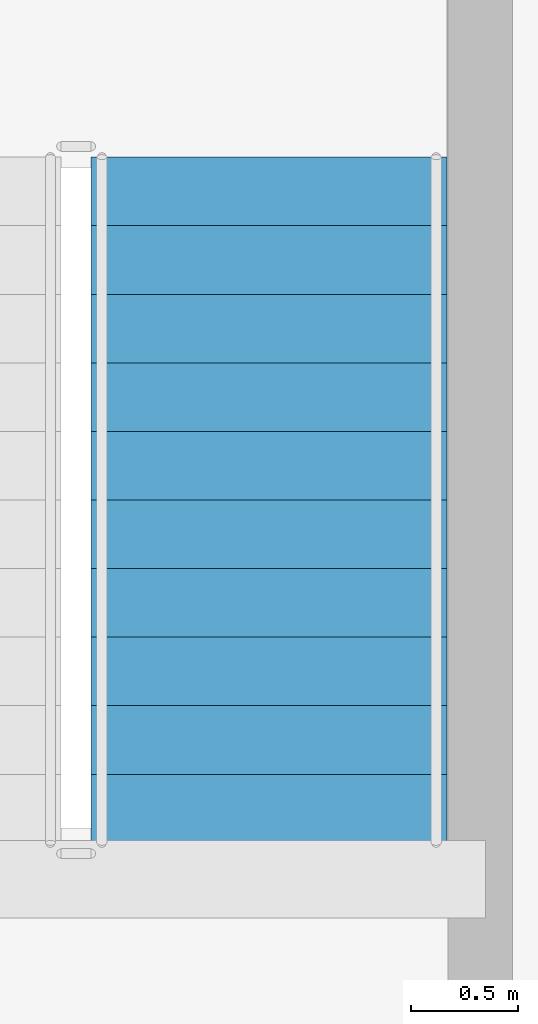
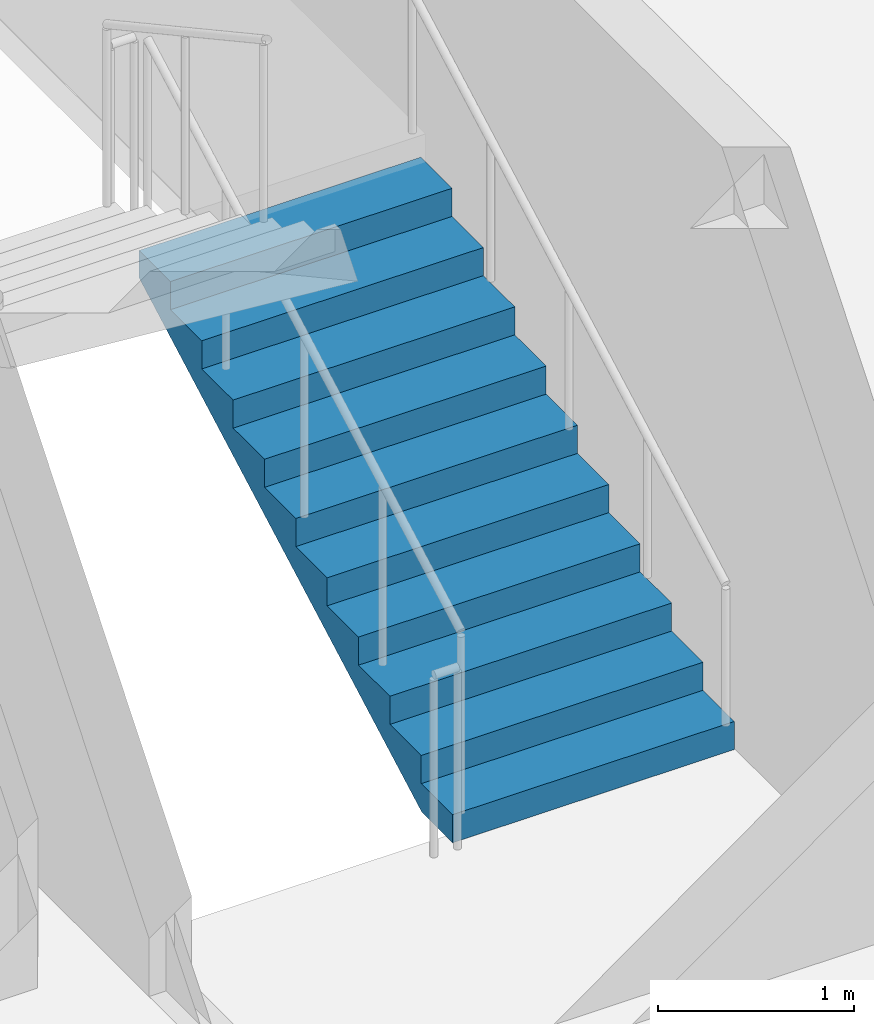
# One storey, part 21 of 22: 1 stair flight, 1 element without a shape of its own.
"""IFC4 building model written with IfcOpenShell, lengths in metres."""

import ifcopenshell
import ifcopenshell.guid

model = None  # the IFC model being written
_history = None  # IfcOwnerHistory: only IFC2X3 demands one
_inside = {}  # id of a spatial element -> (the spatial element, [elements in it])
_under = {}  # id of a project, library or spatial element -> (it, [spatial elements below it])
_declared = {}  # id of a project -> (the project, [libraries it declares])
_typed = {}  # id of a type object -> (the type object, [elements of that type])
_made_of = {}  # id of a material, layer set ... -> (it, [elements and type objects made of it])


def new_model(schema):
    """Start an empty IFC model of exactly this schema.

    Asked for "IFC4X3", IfcOpenShell would pick the latest addendum, in which some entities
    have other attributes; the version numbers below select the first issue.
    IFC2X3 requires an IfcOwnerHistory on every rooted entity: one is made here for all.
    """
    global model, _history
    if schema == "IFC4X3":
        model = ifcopenshell.file(schema_version=(4, 3, 0, 0))
    else:
        model = ifcopenshell.file(schema=schema)
    _inside.clear()
    _under.clear()
    _declared.clear()
    _typed.clear()
    _made_of.clear()
    _history = None
    if model.schema == "IFC2X3":
        org = make("IfcOrganization", Name="unknown")
        user = make(
            "IfcPersonAndOrganization",
            ThePerson=make("IfcPerson", FamilyName="unknown"),
            TheOrganization=org,
        )
        app = make(
            "IfcApplication",
            ApplicationDeveloper=org,
            Version="unknown",
            ApplicationFullName="unknown",
            ApplicationIdentifier="unknown",
        )
        _history = make(
            "IfcOwnerHistory",
            OwningUser=user,
            OwningApplication=app,
            ChangeAction="ADDED",
            CreationDate=0,
        )
    return model


def make(cls, **values):
    """One entity of the class cls with the attributes given. An attribute that is None is left unset."""
    return model.create_entity(
        cls, **{name: value for name, value in values.items() if value is not None}
    )


def rooted(cls, **values):
    """An entity with a GlobalId (a new one), such as an element, a storey or a relation."""
    return make(cls, GlobalId=ifcopenshell.guid.new(), OwnerHistory=_history, **values)


def si_unit(unit_type, name, prefix=None):
    """IfcSIUnit, for example si_unit("LENGTHUNIT", "METRE", prefix="MILLI")."""
    return make("IfcSIUnit", UnitType=unit_type, Prefix=prefix, Name=name)


def assignment(units):
    """IfcUnitAssignment: the units of a project."""
    return None if units is None else make("IfcUnitAssignment", Units=units)


def point(xyz):
    """IfcCartesianPoint."""
    return None if xyz is None else make("IfcCartesianPoint", Coordinates=xyz)


def direction(xyz):
    """IfcDirection."""
    return None if xyz is None else make("IfcDirection", DirectionRatios=xyz)


def frame(location, z_axis=None, x_axis=None):
    """IfcAxis2Placement3D, a coordinate frame: its origin and axes. An axis left out is left unset."""
    return make(
        "IfcAxis2Placement3D",
        Location=point(location),
        Axis=direction(z_axis),
        RefDirection=direction(x_axis),
    )


def origin():
    """The frame at (0, 0, 0) with its axes left unset."""
    return frame((0.0, 0.0, 0.0))


def place(relative_to, where):
    """IfcLocalPlacement: puts the frame where relative to a parent placement (None: the world)."""
    return make(
        "IfcLocalPlacement", PlacementRelTo=relative_to, RelativePlacement=where
    )


def context(
    kind, dimensions, precision=None, world=None, true_north=None, identifier=None
):
    """IfcGeometricRepresentationContext, for example the 3D "Model" context."""
    return make(
        "IfcGeometricRepresentationContext",
        ContextIdentifier=identifier,
        ContextType=kind,
        CoordinateSpaceDimension=dimensions,
        Precision=precision,
        WorldCoordinateSystem=world,
        TrueNorth=true_north,
    )


def subcontext(parent, identifier, kind, view, scale=None):
    """IfcGeometricRepresentationSubContext, for example "Body" below "Model"."""
    return make(
        "IfcGeometricRepresentationSubContext",
        ContextIdentifier=identifier,
        ContextType=kind,
        ParentContext=parent,
        TargetScale=scale,
        TargetView=view,
    )


def project(units=None, contexts=None):
    """IfcProject with its units and contexts."""
    return rooted(
        "IfcProject",
        Name="project",
        RepresentationContexts=contexts,
        UnitsInContext=assignment(units),
    )


def spatial(cls, under=None, at=None, **own):
    """A site, building, storey or space (cls), placed at a placement, below another one or the project."""
    s = rooted(cls, ObjectPlacement=at, **own)
    if under is not None:
        _under.setdefault(under.id(), (under, []))[1].append(s)
    return s


def polyline(points):
    """IfcPolyline through the points."""
    return make("IfcPolyline", Points=[point(p) for p in points])


def outline(outer, holes=None, kind="AREA"):
    """IfcArbitraryClosedProfileDef: a profile drawn as a closed curve; with holes, ...WithVoids."""
    if holes is None:
        return make("IfcArbitraryClosedProfileDef", ProfileType=kind, OuterCurve=outer)
    return make(
        "IfcArbitraryProfileDefWithVoids",
        ProfileType=kind,
        OuterCurve=outer,
        InnerCurves=holes,
    )


def extrude(swept, where, along, depth):
    """IfcExtrudedAreaSolid: the profile swept, set in the frame where, extruded along a direction by depth."""
    return make(
        "IfcExtrudedAreaSolid",
        SweptArea=swept,
        Position=where,
        ExtrudedDirection=direction(along),
        Depth=depth,
    )


def shape(context_of_items, identifier, shape_type, items):
    """IfcShapeRepresentation: the items that make up one representation, for example the "Body"."""
    return make(
        "IfcShapeRepresentation",
        ContextOfItems=context_of_items,
        RepresentationIdentifier=identifier,
        RepresentationType=shape_type,
        Items=items,
    )


def material(Name=None, Category=None):
    """IfcMaterial."""
    return make("IfcMaterial", Name=Name, Category=Category)


def made_of(thing, what):
    """Note that an element or type object is made of a material, layer set ...; save() writes the relation."""
    if what is not None:
        _made_of.setdefault(what.id(), (what, []))[1].append(thing)
    return thing


def type_object(cls, material=None, **own):
    """A type object (cls), such as IfcWallType, which elements share."""
    return made_of(rooted(cls, **own), material)


def element(
    cls,
    number,
    at=None,
    inside=None,
    cuts=None,
    type_object=None,
    material=None,
    context=None,
    identifier="Body",
    shape_type=None,
    held_by="IfcProductDefinitionShape",
    body=None,
    shapes=None,
    **own,
):
    """One element of the class cls, such as IfcWall. Its Tag is "e" and its number.

    at: its placement. inside: the storey or other place that contains it. cuts: it is an
    opening in that element (IfcRelVoidsElement). A single representation is given by context,
    identifier, shape_type and body (its items); several are given by shapes. held_by: the class
    of the entity that holds the representations. save() writes the other relations.
    """
    e = rooted(cls, Tag="e%d" % number, ObjectPlacement=at, **own)
    if body is not None:
        shapes = [shape(context, identifier, shape_type, body)]
    if shapes is not None:
        e.Representation = make(held_by, Representations=shapes)
    if inside is not None:
        _inside.setdefault(inside.id(), (inside, []))[1].append(e)
    if cuts is not None:
        rooted(
            "IfcRelVoidsElement", RelatingBuildingElement=cuts, RelatedOpeningElement=e
        )
    if type_object is not None:
        _typed.setdefault(type_object.id(), (type_object, []))[1].append(e)
    return made_of(e, material)


def aggregate(whole, parts):
    """IfcRelAggregates: a whole, such as a stair, and the parts it consists of."""
    return rooted("IfcRelAggregates", RelatingObject=whole, RelatedObjects=parts)


def save(model, path):
    """Write the relations noted so far, then the file.

    IfcRelAggregates (storeys below a building ...), IfcRelContainedInSpatialStructure (elements
    in a storey), IfcRelDefinesByType, IfcRelAssociatesMaterial and IfcRelDeclares: one each for
    every whole, place, type object, material and project.
    """
    for whole, parts in _under.values():
        aggregate(whole, parts)
    for where, things in _inside.values():
        rooted(
            "IfcRelContainedInSpatialStructure",
            RelatedElements=things,
            RelatingStructure=where,
        )
    for kind, things in _typed.values():
        rooted("IfcRelDefinesByType", RelatedObjects=things, RelatingType=kind)
    for what, things in _made_of.values():
        rooted("IfcRelAssociatesMaterial", RelatedObjects=things, RelatingMaterial=what)
    for by, libraries in _declared.values():
        rooted("IfcRelDeclares", RelatingContext=by, RelatedDefinitions=libraries)
    model.write(path)


model = new_model("IFC4")

# Units and contexts
model_context = context("Model", 3, precision=1e-05, world=origin(), true_north=direction((0.0, 1.0)))
body_context = subcontext(model_context, "Body", "Model", "MODEL_VIEW")
ifc_project = project(units=[si_unit("LENGTHUNIT", "METRE"), si_unit("AREAUNIT", "SQUARE_METRE"), si_unit("VOLUMEUNIT", "CUBIC_METRE"), si_unit("PLANEANGLEUNIT", "RADIAN"), si_unit("MASSUNIT", "GRAM", prefix="KILO")], contexts=[model_context])

# Site, building, storey
site_placement = place(None, origin())
site = spatial("IfcSite", under=ifc_project, at=site_placement, CompositionType="ELEMENT")
building_placement = place(site_placement, origin())
building = spatial("IfcBuilding", under=site, at=building_placement, Name="Kallvorn Hotel Tower", CompositionType="ELEMENT")
storey_placement = place(building_placement, frame((0.0, 0.0, 206.89990234375)))
storey = spatial("IfcBuildingStorey", under=building, at=storey_placement, Name="L51", CompositionType="ELEMENT", Elevation=206.89990234375)

# Stair, stair flight
ifc_material_1 = material(Name="Precast concrete C40/50", Category="concrete")
stair_type = type_object("IfcStairType", Name="STR_CORE_DOGLEG", PredefinedType="HALF_TURN_STAIR", material=ifc_material_1)
stair_placement = place(storey_placement, origin())
stair = element("IfcStair", 1, at=stair_placement, inside=storey, type_object=stair_type, Name="L51 Exit stair ST2", PredefinedType="HALF_TURN_STAIR")
ifc_material_2 = material(Name="Precast concrete C40/50", Category="concrete")
stair_flight_type = type_object("IfcStairFlightType", Name="FLT_CORE_1660", PredefinedType="STRAIGHT", material=ifc_material_2)
stair_flight_placement = place(storey_placement, frame((13.22998046875, -3.139892578125, 0.0), z_axis=(0.0, 0.0, 1.0), x_axis=(0.0, 1.0, 0.0)))
stair_flight = element("IfcStairFlight", 2, at=stair_flight_placement, type_object=stair_flight_type, Name="ST2 flight 1", NumberOfRisers=11, NumberOfTreads=10, PredefinedType="STRAIGHT", RiserHeight=0.175, TreadLength=0.32, context=body_context, shape_type="SweptSolid", body=[
    extrude(outline(polyline([(0.0, 0.0), (0.0, 0.175048828125), (0.320068359375, 0.175048828125), (0.320068359375, 0.35009765625), (0.639892578125, 0.35009765625), (0.639892578125, 0.52490234375), (0.9599609375, 0.52490234375), (0.9599609375, 0.699951171875), (1.280029296875, 0.699951171875), (1.280029296875, 0.875), (1.60009765625, 0.875), (1.60009765625, 1.050048828125), (1.919921875, 1.050048828125), (1.919921875, 1.22509765625), (2.239990234375, 1.22509765625), (2.239990234375, 1.39990234375), (2.56005859375, 1.39990234375), (2.56005859375, 1.574951171875), (2.8798828125, 1.574951171875), (2.8798828125, 1.75), (3.199951171875, 1.75), (3.199951171875, 1.925048828125), (3.199951171875, 1.5791015625), (0.3125, 0.0), (0.0, 0.0)])), frame((0.0, 0.830078125, 0.0), z_axis=(0.0, -1.0, 0.0), x_axis=(1.0, 0.0, 0.0)), (0.0, 0.0, 1.0), 1.659912109375),
])
aggregate(stair, [stair_flight])

save(model, "model.ifc")
